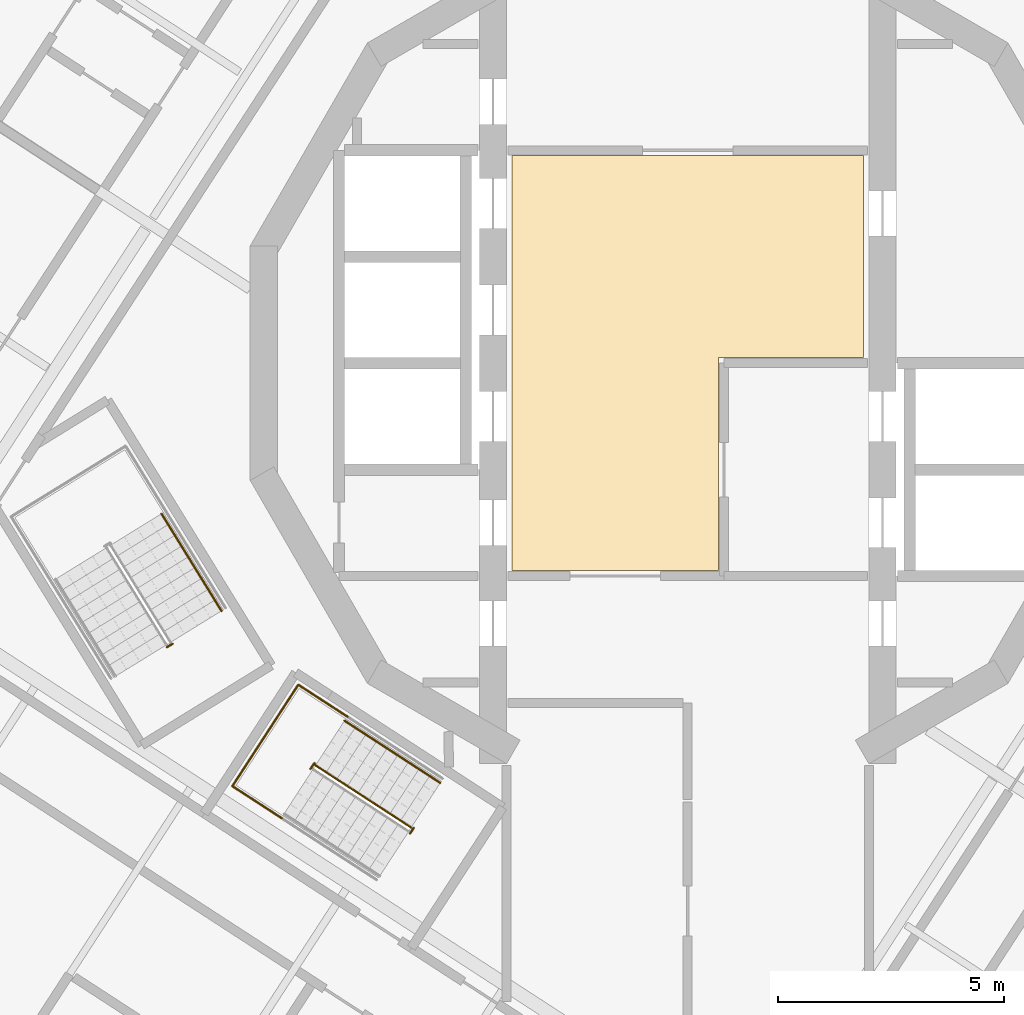
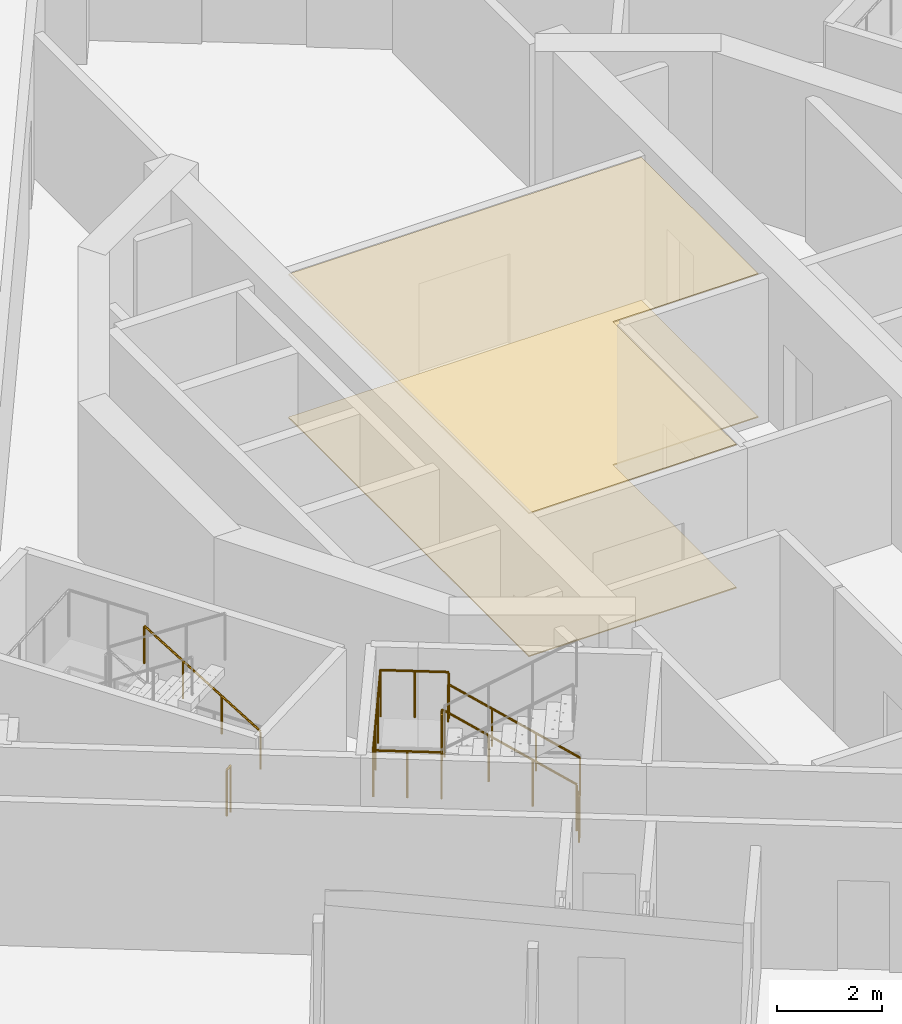
# One storey, part 14 of 17: 6 railings, 2 coverings.
"""IFC4 building model written with IfcOpenShell, lengths in metres."""

from ifc_helpers import new_model, si_unit, direction, frame, origin, origin_2d, place, context, subcontext, project, spatial, polyline, circle, outline, extrude, material, layer, layer_set, type_object, element, save


model = new_model("IFC4")

# Units and contexts
model_context = context("Model", 3, precision=1e-05, world=origin(), true_north=direction((0.0, 1.0)))
body_context = subcontext(model_context, "Body", "Model", "MODEL_VIEW")
ifc_project = project(units=[si_unit("LENGTHUNIT", "METRE"), si_unit("AREAUNIT", "SQUARE_METRE"), si_unit("VOLUMEUNIT", "CUBIC_METRE"), si_unit("PLANEANGLEUNIT", "RADIAN"), si_unit("MASSUNIT", "GRAM", prefix="KILO")], contexts=[model_context])

# Site, building, storey
site_placement = place(None, origin())
site = spatial("IfcSite", under=ifc_project, at=site_placement, CompositionType="ELEMENT")
building_placement = place(site_placement, origin())
building = spatial("IfcBuilding", under=site, at=building_placement, Name="Cantera Rosa Tower", CompositionType="ELEMENT")
storey_placement = place(building_placement, frame((0.0, 0.0, 268.5)))
storey = spatial("IfcBuildingStorey", under=building, at=storey_placement, Name="L60", CompositionType="ELEMENT", Elevation=268.5)

# Railings
ifc_material_1 = material(Name="Steel S355J2 (EN 10025-2)", Category="steel")
railing_type_1 = type_object("IfcRailingType", Name="STAIR GUARD 1100", PredefinedType="GUARDRAIL", material=ifc_material_1)
railing_1_placement = place(storey_placement, frame((-11.375, -6.19482421875, 0.0)))
element("IfcRailing", 1, at=railing_1_placement, inside=storey, type_object=railing_type_1, Name="L60 ST-52 stair guard 3", PredefinedType="GUARDRAIL", context=body_context, shape_type="SweptSolid", body=[
    extrude(circle(Radius=0.02392578125, at=origin_2d()), frame((0.0, 0.0, 1.076171875), z_axis=(-0.851546489876, -0.524279100842, 0.0), x_axis=(0.524279100842, -0.851546489876, 0.0)), (0.0, 0.0, 1.0), 0.14990234375),
    extrude(circle(Radius=0.02099609375, at=origin_2d()), origin(), (0.0, 0.0, 1.0), 1.052001953125),
    extrude(circle(Radius=0.02099609375, at=origin_2d()), frame((-0.127685546875, -0.07861328125, 0.0)), (0.0, 0.0, 1.0), 1.052001953125),
])
railing_2_placement = place(storey_placement, frame((-6.10400390625, -10.25341796875, 0.179931640625)))
element("IfcRailing", 2, at=railing_2_placement, inside=storey, type_object=railing_type_1, Name="L60 ST-53 stair guard 1", PredefinedType="GUARDRAIL", context=body_context, shape_type="SweptSolid", body=[
    extrude(circle(Radius=0.02392578125, at=origin_2d()), frame((0.0, 0.0, 1.076171875), z_axis=(-0.705462015847, 0.458138784, 0.540770005448), x_axis=(-0.544644381691, -0.838667095749, 0.0)), (0.0, 0.0, 1.0), 2.995849609375),
    extrude(circle(Radius=0.02392578125, at=origin_2d()), frame((-2.113525390625, 1.37255859375, 2.6962890625), z_axis=(-0.49005532576, 0.871691331662, 0.0), x_axis=(-0.871691331662, -0.49005532576, 0.0)), (0.0, 0.0, 1.0), 0.056396484375),
    extrude(circle(Radius=0.02392578125, at=origin_2d()), frame((-2.14111328125, 1.421630859375, 2.6962890625), z_axis=(-0.545274379459, -0.838257628123, 0.0), x_axis=(0.838257628123, -0.545274379459, 0.0)), (0.0, 0.0, 1.0), 0.14990234375),
    extrude(circle(Radius=0.02099609375, at=origin_2d()), origin(), (0.0, 0.0, 1.0), 1.052001953125),
    extrude(circle(Radius=0.02099609375, at=origin_2d()), frame((-0.70458984375, 0.45751953125, 0.5400390625)), (0.0, 0.0, 1.0), 1.052001953125),
    extrude(circle(Radius=0.02099609375, at=origin_2d()), frame((-1.408935546875, 0.9150390625, 1.080078125)), (0.0, 0.0, 1.0), 1.052001953125),
    extrude(circle(Radius=0.02099609375, at=origin_2d()), frame((-2.113525390625, 1.37255859375, 1.6201171875)), (0.0, 0.0, 1.0), 1.052001953125),
    extrude(circle(Radius=0.02099609375, at=origin_2d()), frame((-2.14111328125, 1.421630859375, 1.6201171875)), (0.0, 0.0, 1.0), 1.052001953125),
    extrude(circle(Radius=0.02099609375, at=origin_2d()), frame((-2.222900390625, 1.2958984375, 1.6201171875)), (0.0, 0.0, 1.0), 1.052001953125),
])
railing_3_placement = place(storey_placement, frame((-6.0478515625, -10.2587890625, 0.0)))
element("IfcRailing", 3, at=railing_3_placement, inside=storey, type_object=railing_type_1, Name="L60 ST-53 stair guard 3", PredefinedType="GUARDRAIL", context=body_context, shape_type="SweptSolid", body=[
    extrude(circle(Radius=0.02392578125, at=origin_2d()), frame((0.0, 0.0, 1.076171875), z_axis=(-0.545274379459, -0.838257628123, 0.0), x_axis=(0.838257628123, -0.545274379459, 0.0)), (0.0, 0.0, 1.0), 0.14990234375),
    extrude(circle(Radius=0.02099609375, at=origin_2d()), origin(), (0.0, 0.0, 1.0), 1.052001953125),
    extrude(circle(Radius=0.02099609375, at=origin_2d()), frame((-0.081787109375, -0.125732421875, 0.0)), (0.0, 0.0, 1.0), 1.052001953125),
])
railing_4_placement = place(storey_placement, frame((-7.507080078125, -7.808837890625, 1.800048828125)))
element("IfcRailing", 4, at=railing_4_placement, inside=storey, type_object=railing_type_1, Name="L60 ST-53 stair guard 5", PredefinedType="GUARDRAIL", context=body_context, shape_type="SweptSolid", body=[
    extrude(circle(Radius=0.02392578125, at=origin_2d()), frame((0.0, 0.0, 1.076171875), z_axis=(-0.838597818641, 0.544751042744, 0.0), x_axis=(-0.544751042744, -0.838597818641, 0.0)), (0.0, 0.0, 1.0), 1.302001953125),
    extrude(circle(Radius=0.02392578125, at=origin_2d()), frame((-1.091796875, 0.709228515625, 1.076171875), z_axis=(-0.544679779991, -0.838644106442, 0.0), x_axis=(0.838644106442, -0.544679779991, 0.0)), (0.0, 0.0, 1.0), 2.670166015625),
    extrude(circle(Radius=0.02392578125, at=origin_2d()), frame((-2.546142578125, -1.530029296875, 1.076171875), z_axis=(0.838653453326, -0.544665388311, 0.0), x_axis=(0.544665388311, 0.838653453326, 0.0)), (0.0, 0.0, 1.0), 1.30224609375),
    extrude(circle(Radius=0.02099609375, at=origin_2d()), origin(), (0.0, 0.0, 1.0), 1.052001953125),
    extrude(circle(Radius=0.02099609375, at=origin_2d()), frame((-0.5458984375, 0.3544921875, 0.0)), (0.0, 0.0, 1.0), 1.052001953125),
    extrude(circle(Radius=0.02099609375, at=origin_2d()), frame((-1.091796875, 0.709228515625, 0.0)), (0.0, 0.0, 1.0), 1.052001953125),
    extrude(circle(Radius=0.02099609375, at=origin_2d()), frame((-1.57666015625, -0.037109375, 0.0)), (0.0, 0.0, 1.0), 1.052001953125),
    extrude(circle(Radius=0.02099609375, at=origin_2d()), frame((-2.061279296875, -0.78369140625, 0.0)), (0.0, 0.0, 1.0), 1.052001953125),
    extrude(circle(Radius=0.02099609375, at=origin_2d()), frame((-2.546142578125, -1.530029296875, 0.0)), (0.0, 0.0, 1.0), 1.052001953125),
    extrude(circle(Radius=0.02099609375, at=origin_2d()), frame((-2.0, -1.884765625, 0.0)), (0.0, 0.0, 1.0), 1.052001953125),
    extrude(circle(Radius=0.02099609375, at=origin_2d()), frame((-1.4541015625, -2.2392578125, 0.0)), (0.0, 0.0, 1.0), 1.052001953125),
])
ifc_material_2 = material(Name="Steel S355J2 (EN 10025-2)", Category="steel")
railing_type_2 = type_object("IfcRailingType", Name="STAIR HANDRAIL 900", PredefinedType="HANDRAIL", material=ifc_material_2)
railing_5_placement = place(storey_placement, frame((-10.294677734375, -5.4697265625, 0.179931640625)))
element("IfcRailing", 5, at=railing_5_placement, inside=storey, type_object=railing_type_2, Name="L60 ST-52 stair handrail 1", PredefinedType="HANDRAIL", context=body_context, shape_type="SweptSolid", body=[
    extrude(circle(Radius=0.02392578125, at=origin_2d()), frame((0.0, 0.0, 0.8759765625), z_axis=(-0.441609067481, 0.715913574058, 0.540785711718), x_axis=(-0.851102330005, -0.524999832248, 0.0)), (0.0, 0.0, 1.0), 2.995849609375),
    extrude(circle(Radius=0.02099609375, at=origin_2d()), origin(), (0.0, 0.0, 1.0), 0.851806640625),
    extrude(circle(Radius=0.02099609375, at=origin_2d()), frame((-0.44091796875, 0.71484375, 0.5400390625)), (0.0, 0.0, 1.0), 0.851806640625),
    extrude(circle(Radius=0.02099609375, at=origin_2d()), frame((-0.882080078125, 1.429931640625, 1.080078125)), (0.0, 0.0, 1.0), 0.851806640625),
    extrude(circle(Radius=0.02099609375, at=origin_2d()), frame((-1.322998046875, 2.144775390625, 1.6201171875)), (0.0, 0.0, 1.0), 0.851806640625),
])
railing_6_placement = place(storey_placement, frame((-5.463623046875, -9.26708984375, 0.179931640625)))
element("IfcRailing", 6, at=railing_6_placement, inside=storey, type_object=railing_type_2, Name="L60 ST-53 stair handrail 1", PredefinedType="HANDRAIL", context=body_context, shape_type="SweptSolid", body=[
    extrude(circle(Radius=0.02392578125, at=origin_2d()), frame((0.0, 0.0, 0.8759765625), z_axis=(-0.705421077808, 0.458165122394, 0.540801094309), x_axis=(-0.544688635705, -0.838638354795, 0.0)), (0.0, 0.0, 1.0), 2.995849609375),
    extrude(circle(Radius=0.02099609375, at=origin_2d()), origin(), (0.0, 0.0, 1.0), 0.851806640625),
    extrude(circle(Radius=0.02099609375, at=origin_2d()), frame((-0.704345703125, 0.45751953125, 0.5400390625)), (0.0, 0.0, 1.0), 0.851806640625),
    extrude(circle(Radius=0.02099609375, at=origin_2d()), frame((-1.408935546875, 0.9150390625, 1.080078125)), (0.0, 0.0, 1.0), 0.851806640625),
    extrude(circle(Radius=0.02099609375, at=origin_2d()), frame((-2.11328125, 1.37255859375, 1.6201171875)), (0.0, 0.0, 1.0), 0.851806640625),
])

# Coverings
ifc_material_3 = material(Name="Limestone paving", Category="masonry")
ifc_layer_1 = layer(ifc_material_3, 0.02490234375)
ifc_layer_set_1 = layer_set([ifc_layer_1], Name="STONE FLOOR FINISH 25")
covering_type_1 = type_object("IfcCoveringType", Name="STONE FLOOR FINISH 25", PredefinedType="FLOORING", material=ifc_layer_set_1)
covering_1_placement = place(storey_placement, origin())
element("IfcCovering", 7, at=covering_1_placement, inside=storey, type_object=covering_type_1, Name="STONE FLOOR FINISH L60", PredefinedType="FLOORING", context=body_context, shape_type="SweptSolid", body=[
    extrude(outline(polyline([(3.8798828125, 4.580078125), (3.8798828125, 0.1201171875), (0.679931640625, 0.1201171875), (0.679931640625, -4.580078125), (-3.8798828125, -4.580078125), (-3.8798828125, 4.580078125), (3.8798828125, 4.580078125)])), origin(), (0.0, 0.0, 1.0), 0.02490234375),
])
ifc_material_4 = material(Name="Gypsum ceiling tile")
ifc_layer_2 = layer(ifc_material_4, 0.030029296875)
ifc_layer_set_2 = layer_set([ifc_layer_2], Name="SUSPENDED CEILING 30")
covering_type_2 = type_object("IfcCoveringType", Name="SUSPENDED CEILING 30", PredefinedType="CEILING", material=ifc_layer_set_2)
covering_2_placement = place(storey_placement, frame((0.0, 0.0, 3.320068359375)))
element("IfcCovering", 8, at=covering_2_placement, inside=storey, type_object=covering_type_2, Name="SUSPENDED CEILING L60", PredefinedType="CEILING", context=body_context, shape_type="SweptSolid", body=[
    extrude(outline(polyline([(3.8798828125, 4.580078125), (3.8798828125, 0.1201171875), (0.679931640625, 0.1201171875), (0.679931640625, -4.580078125), (-3.8798828125, -4.580078125), (-3.8798828125, 4.580078125), (3.8798828125, 4.580078125)])), origin(), (0.0, 0.0, 1.0), 0.030029296875),
])

save(model, "model.ifc")
